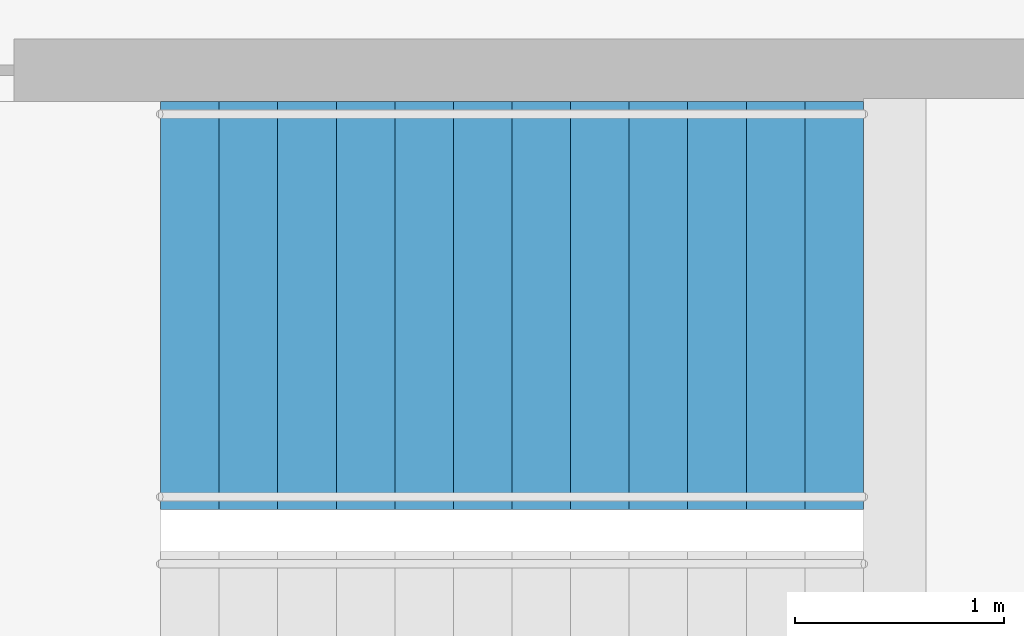
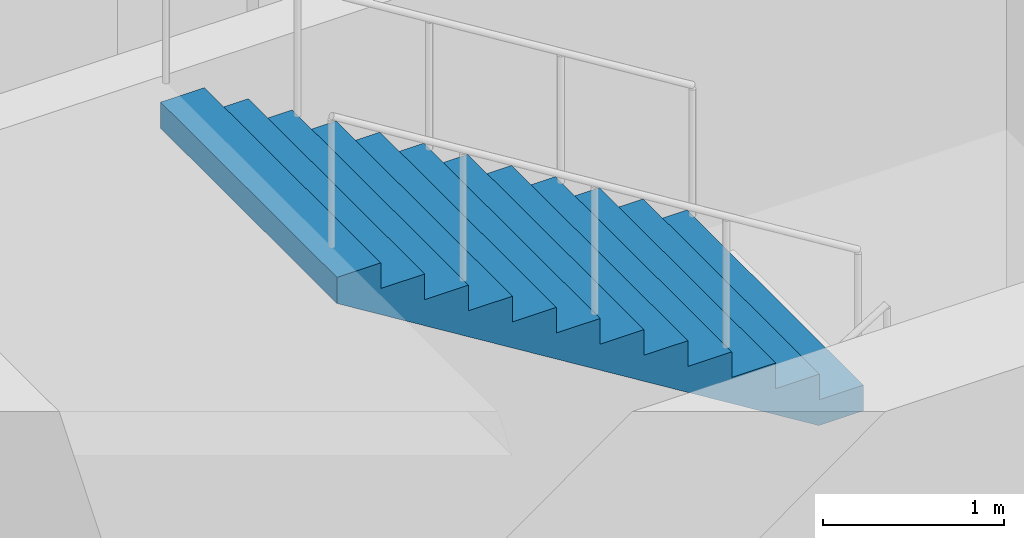
# One storey, part 18 of 21: 1 stair flight, 1 element without a shape of its own.
"""IFC4 building model written with IfcOpenShell, lengths in metres."""

import ifcopenshell
import ifcopenshell.guid

model = None  # the IFC model being written
_history = None  # IfcOwnerHistory: only IFC2X3 demands one
_inside = {}  # id of a spatial element -> (the spatial element, [elements in it])
_under = {}  # id of a project, library or spatial element -> (it, [spatial elements below it])
_declared = {}  # id of a project -> (the project, [libraries it declares])
_typed = {}  # id of a type object -> (the type object, [elements of that type])
_made_of = {}  # id of a material, layer set ... -> (it, [elements and type objects made of it])


def new_model(schema):
    """Start an empty IFC model of exactly this schema.

    Asked for "IFC4X3", IfcOpenShell would pick the latest addendum, in which some entities
    have other attributes; the version numbers below select the first issue.
    IFC2X3 requires an IfcOwnerHistory on every rooted entity: one is made here for all.
    """
    global model, _history
    if schema == "IFC4X3":
        model = ifcopenshell.file(schema_version=(4, 3, 0, 0))
    else:
        model = ifcopenshell.file(schema=schema)
    _inside.clear()
    _under.clear()
    _declared.clear()
    _typed.clear()
    _made_of.clear()
    _history = None
    if model.schema == "IFC2X3":
        org = make("IfcOrganization", Name="unknown")
        user = make(
            "IfcPersonAndOrganization",
            ThePerson=make("IfcPerson", FamilyName="unknown"),
            TheOrganization=org,
        )
        app = make(
            "IfcApplication",
            ApplicationDeveloper=org,
            Version="unknown",
            ApplicationFullName="unknown",
            ApplicationIdentifier="unknown",
        )
        _history = make(
            "IfcOwnerHistory",
            OwningUser=user,
            OwningApplication=app,
            ChangeAction="ADDED",
            CreationDate=0,
        )
    return model


def make(cls, **values):
    """One entity of the class cls with the attributes given. An attribute that is None is left unset."""
    return model.create_entity(
        cls, **{name: value for name, value in values.items() if value is not None}
    )


def rooted(cls, **values):
    """An entity with a GlobalId (a new one), such as an element, a storey or a relation."""
    return make(cls, GlobalId=ifcopenshell.guid.new(), OwnerHistory=_history, **values)


def si_unit(unit_type, name, prefix=None):
    """IfcSIUnit, for example si_unit("LENGTHUNIT", "METRE", prefix="MILLI")."""
    return make("IfcSIUnit", UnitType=unit_type, Prefix=prefix, Name=name)


def assignment(units):
    """IfcUnitAssignment: the units of a project."""
    return None if units is None else make("IfcUnitAssignment", Units=units)


def point(xyz):
    """IfcCartesianPoint."""
    return None if xyz is None else make("IfcCartesianPoint", Coordinates=xyz)


def direction(xyz):
    """IfcDirection."""
    return None if xyz is None else make("IfcDirection", DirectionRatios=xyz)


def frame(location, z_axis=None, x_axis=None):
    """IfcAxis2Placement3D, a coordinate frame: its origin and axes. An axis left out is left unset."""
    return make(
        "IfcAxis2Placement3D",
        Location=point(location),
        Axis=direction(z_axis),
        RefDirection=direction(x_axis),
    )


def origin():
    """The frame at (0, 0, 0) with its axes left unset."""
    return frame((0.0, 0.0, 0.0))


def place(relative_to, where):
    """IfcLocalPlacement: puts the frame where relative to a parent placement (None: the world)."""
    return make(
        "IfcLocalPlacement", PlacementRelTo=relative_to, RelativePlacement=where
    )


def context(
    kind, dimensions, precision=None, world=None, true_north=None, identifier=None
):
    """IfcGeometricRepresentationContext, for example the 3D "Model" context."""
    return make(
        "IfcGeometricRepresentationContext",
        ContextIdentifier=identifier,
        ContextType=kind,
        CoordinateSpaceDimension=dimensions,
        Precision=precision,
        WorldCoordinateSystem=world,
        TrueNorth=true_north,
    )


def subcontext(parent, identifier, kind, view, scale=None):
    """IfcGeometricRepresentationSubContext, for example "Body" below "Model"."""
    return make(
        "IfcGeometricRepresentationSubContext",
        ContextIdentifier=identifier,
        ContextType=kind,
        ParentContext=parent,
        TargetScale=scale,
        TargetView=view,
    )


def project(units=None, contexts=None):
    """IfcProject with its units and contexts."""
    return rooted(
        "IfcProject",
        Name="project",
        RepresentationContexts=contexts,
        UnitsInContext=assignment(units),
    )


def spatial(cls, under=None, at=None, **own):
    """A site, building, storey or space (cls), placed at a placement, below another one or the project."""
    s = rooted(cls, ObjectPlacement=at, **own)
    if under is not None:
        _under.setdefault(under.id(), (under, []))[1].append(s)
    return s


def point_list(points):
    """IfcCartesianPointList2D or 3D."""
    cls = (
        "IfcCartesianPointList2D" if len(points[0]) == 2 else "IfcCartesianPointList3D"
    )
    return make(cls, CoordList=points)


def triangles(points, corners, closed=None, point_numbers=None):
    """IfcTriangulatedFaceSet: each triangle names its three corners, points numbered from 1."""
    return make(
        "IfcTriangulatedFaceSet",
        Coordinates=point_list(points),
        Closed=closed,
        CoordIndex=corners,
        PnIndex=point_numbers,
    )


def shape(context_of_items, identifier, shape_type, items):
    """IfcShapeRepresentation: the items that make up one representation, for example the "Body"."""
    return make(
        "IfcShapeRepresentation",
        ContextOfItems=context_of_items,
        RepresentationIdentifier=identifier,
        RepresentationType=shape_type,
        Items=items,
    )


def material(Name=None, Category=None):
    """IfcMaterial."""
    return make("IfcMaterial", Name=Name, Category=Category)


def made_of(thing, what):
    """Note that an element or type object is made of a material, layer set ...; save() writes the relation."""
    if what is not None:
        _made_of.setdefault(what.id(), (what, []))[1].append(thing)
    return thing


def type_object(cls, material=None, **own):
    """A type object (cls), such as IfcWallType, which elements share."""
    return made_of(rooted(cls, **own), material)


def element(
    cls,
    number,
    at=None,
    inside=None,
    cuts=None,
    type_object=None,
    material=None,
    context=None,
    identifier="Body",
    shape_type=None,
    held_by="IfcProductDefinitionShape",
    body=None,
    shapes=None,
    **own,
):
    """One element of the class cls, such as IfcWall. Its Tag is "e" and its number.

    at: its placement. inside: the storey or other place that contains it. cuts: it is an
    opening in that element (IfcRelVoidsElement). A single representation is given by context,
    identifier, shape_type and body (its items); several are given by shapes. held_by: the class
    of the entity that holds the representations. save() writes the other relations.
    """
    e = rooted(cls, Tag="e%d" % number, ObjectPlacement=at, **own)
    if body is not None:
        shapes = [shape(context, identifier, shape_type, body)]
    if shapes is not None:
        e.Representation = make(held_by, Representations=shapes)
    if inside is not None:
        _inside.setdefault(inside.id(), (inside, []))[1].append(e)
    if cuts is not None:
        rooted(
            "IfcRelVoidsElement", RelatingBuildingElement=cuts, RelatedOpeningElement=e
        )
    if type_object is not None:
        _typed.setdefault(type_object.id(), (type_object, []))[1].append(e)
    return made_of(e, material)


def aggregate(whole, parts):
    """IfcRelAggregates: a whole, such as a stair, and the parts it consists of."""
    return rooted("IfcRelAggregates", RelatingObject=whole, RelatedObjects=parts)


def save(model, path):
    """Write the relations noted so far, then the file.

    IfcRelAggregates (storeys below a building ...), IfcRelContainedInSpatialStructure (elements
    in a storey), IfcRelDefinesByType, IfcRelAssociatesMaterial and IfcRelDeclares: one each for
    every whole, place, type object, material and project.
    """
    for whole, parts in _under.values():
        aggregate(whole, parts)
    for where, things in _inside.values():
        rooted(
            "IfcRelContainedInSpatialStructure",
            RelatedElements=things,
            RelatingStructure=where,
        )
    for kind, things in _typed.values():
        rooted("IfcRelDefinesByType", RelatedObjects=things, RelatingType=kind)
    for what, things in _made_of.values():
        rooted("IfcRelAssociatesMaterial", RelatedObjects=things, RelatingMaterial=what)
    for by, libraries in _declared.values():
        rooted("IfcRelDeclares", RelatingContext=by, RelatedDefinitions=libraries)
    model.write(path)


model = new_model("IFC4")

# Units and contexts
model_context = context("Model", 3, precision=1e-05, world=origin(), true_north=direction((0.0, 1.0)))
body_context = subcontext(model_context, "Body", "Model", "MODEL_VIEW")
ifc_project = project(units=[si_unit("LENGTHUNIT", "METRE"), si_unit("AREAUNIT", "SQUARE_METRE"), si_unit("VOLUMEUNIT", "CUBIC_METRE"), si_unit("PLANEANGLEUNIT", "RADIAN"), si_unit("MASSUNIT", "GRAM", prefix="KILO")], contexts=[model_context])

# Site, building, storey
site_placement = place(None, origin())
site = spatial("IfcSite", under=ifc_project, at=site_placement, CompositionType="ELEMENT")
building_placement = place(site_placement, origin())
building = spatial("IfcBuilding", under=site, at=building_placement, Name="Orbita Commons", CompositionType="ELEMENT")
storey_placement = place(building_placement, frame((0.0, 0.0, 257.800048828125)))
storey = spatial("IfcBuildingStorey", under=building, at=storey_placement, Name="L64", CompositionType="ELEMENT", Elevation=257.800048828125)

# Stair, stair flight
ifc_material_1 = material(Name="Precast concrete C40/50", Category="concrete")
stair_type = type_object("IfcStairType", Name="Exit stair S1 2 flights 13 risers 173", PredefinedType="HALF_TURN_STAIR", material=ifc_material_1)
stair_placement = place(storey_placement, origin())
stair = element("IfcStair", 1, at=stair_placement, inside=storey, type_object=stair_type, Name="Exit stair S1 L64", PredefinedType="HALF_TURN_STAIR")
ifc_material_2 = material(Name="Precast concrete C40/50", Category="concrete")
stair_flight_type = type_object("IfcStairFlightType", Name="Stair flight 13 risers 173 x 280", PredefinedType="STRAIGHT", material=ifc_material_2)
stair_flight_placement = place(storey_placement, frame((23.81005859375, 29.27490234375, 2.25), z_axis=(0.0, 0.0, 1.0), x_axis=(-1.0, 0.0, 0.0)))
stair_flight = element("IfcStairFlight", 2, at=stair_flight_placement, type_object=stair_flight_type, Name="S1 flight 2", NumberOfRisers=13, NumberOfTreads=12, PredefinedType="STRAIGHT", RiserHeight=0.173076923, TreadLength=0.28, context=body_context, shape_type="Tessellation", body=[
    triangles([(0.0, 0.974976, 0.0), (0.0, 0.974976, 0.021635), (0.0, 0.81248, 0.021635), (0.0, 0.81248, 0.0), (0.0, 0.649984, 0.021635), (0.0, 0.649984, 0.0), (0.0, 0.487488, 0.021635), (0.0, 0.487488, 0.0), (0.0, 0.324992, 0.021635), (0.0, 0.324992, 0.0), (0.0, 0.162496, 0.021635), (0.0, 0.162496, 0.0), (0.0, 0.0, 0.021635), (0.0, 0.0, 0.0), (0.0, -0.162496, 0.021635), (0.0, -0.162496, 0.0), (0.0, -0.324992, 0.021635), (0.0, -0.324992, 0.0), (0.0, -0.487488, 0.021635), (0.0, -0.487488, 0.0), (0.0, -0.649984, 0.021635), (0.0, -0.649984, 0.0), (0.0, -0.81248, 0.021635), (0.0, -0.81248, 0.0), (0.0, -0.974976, 0.021635), (0.0, -0.974976, 0.0), (0.0, 0.974976, 0.043269), (0.0, 0.81248, 0.043269), (0.0, 0.649984, 0.043269), (0.0, 0.487488, 0.043269), (0.0, 0.324992, 0.043269), (0.0, 0.162496, 0.043269), (0.0, 0.0, 0.043269), (0.0, -0.162496, 0.043269), (0.0, -0.324992, 0.043269), (0.0, -0.487488, 0.043269), (0.0, -0.649984, 0.043269), (0.0, -0.81248, 0.043269), (0.0, -0.974976, 0.043269), (0.0, 0.974976, 0.064904), (0.0, 0.81248, 0.064904), (0.0, 0.649984, 0.064904), (0.0, 0.487488, 0.064904), (0.0, 0.324992, 0.064904), (0.0, 0.162496, 0.064904), (0.0, 0.0, 0.064904), (0.0, -0.162496, 0.064904), (0.0, -0.324992, 0.064904), (0.0, -0.487488, 0.064904), (0.0, -0.649984, 0.064904), (0.0, -0.81248, 0.064904), (0.0, -0.974976, 0.064904), (0.0, 0.974976, 0.086538), (0.0, 0.81248, 0.086538), (0.0, 0.649984, 0.086538), (0.0, 0.487488, 0.086538), (0.0, 0.324992, 0.086538), (0.0, 0.162496, 0.086538), (0.0, 0.0, 0.086538), (0.0, -0.162496, 0.086538), (0.0, -0.324992, 0.086538), (0.0, -0.487488, 0.086538), (0.0, -0.649984, 0.086538), (0.0, -0.81248, 0.086538), (0.0, -0.974976, 0.086538), (0.0, 0.974976, 0.108173), (0.0, 0.81248, 0.108173), (0.0, 0.649984, 0.108173), (0.0, 0.487488, 0.108173), (0.0, 0.324992, 0.108173), (0.0, 0.162496, 0.108173), (0.0, 0.0, 0.108173), (0.0, -0.162496, 0.108173), (0.0, -0.324992, 0.108173), (0.0, -0.487488, 0.108173), (0.0, -0.649984, 0.108173), (0.0, -0.81248, 0.108173), (0.0, -0.974976, 0.108173), (0.0, 0.974976, 0.129808), (0.0, 0.81248, 0.129808), (0.0, 0.649984, 0.129808), (0.0, 0.487488, 0.129808), (0.0, 0.324992, 0.129808), (0.0, 0.162496, 0.129808), (0.0, 0.0, 0.129808), (0.0, -0.162496, 0.129808), (0.0, -0.324992, 0.129808), (0.0, -0.487488, 0.129808), (0.0, -0.649984, 0.129808), (0.0, -0.81248, 0.129808), (0.0, -0.974976, 0.129808), (0.0, 0.974976, 0.151442), (0.0, 0.81248, 0.151442), (0.0, 0.649984, 0.151442), (0.0, 0.487488, 0.151442), (0.0, 0.324992, 0.151442), (0.0, 0.162496, 0.151442), (0.0, 0.0, 0.151442), (0.0, -0.162496, 0.151442), (0.0, -0.324992, 0.151442), (0.0, -0.487488, 0.151442), (0.0, -0.649984, 0.151442), (0.0, -0.81248, 0.151442), (0.0, -0.974976, 0.151442), (0.0, 0.974976, 0.173077), (0.0, 0.81248, 0.173077), (0.0, 0.649984, 0.173077), (0.0, 0.487488, 0.173077), (0.0, 0.324992, 0.173077), (0.0, 0.162496, 0.173077), (0.0, 0.0, 0.173077), (0.0, -0.162496, 0.173077), (0.0, -0.324992, 0.173077), (0.0, -0.487488, 0.173077), (0.0, -0.649984, 0.173077), (0.0, -0.81248, 0.173077), (0.0, -0.974976, 0.173077), (0.28, 0.974976, 0.173077), (0.28, 0.81248, 0.173077), (0.28, 0.649984, 0.173077), (0.28, 0.487488, 0.173077), (0.28, 0.324992, 0.173077), (0.28, 0.162496, 0.173077), (0.28, 0.0, 0.173077), (0.28, -0.162496, 0.173077), (0.28, -0.324992, 0.173077), (0.28, -0.487488, 0.173077), (0.28, -0.649984, 0.173077), (0.28, -0.81248, 0.173077), (0.28, -0.974976, 0.173077), (0.28, 0.974976, 0.346154), (0.28, 0.81248, 0.346154), (0.28, 0.649984, 0.346154), (0.28, 0.487488, 0.346154), (0.28, 0.324992, 0.346154), (0.28, 0.162496, 0.346154), (0.28, 0.0, 0.346154), (0.28, -0.162496, 0.346154), (0.28, -0.324992, 0.346154), (0.28, -0.487488, 0.346154), (0.28, -0.649984, 0.346154), (0.28, -0.81248, 0.346154), (0.28, -0.974976, 0.346154), (0.56, 0.974976, 0.346154), (0.56, 0.81248, 0.346154), (0.56, 0.649984, 0.346154), (0.56, 0.487488, 0.346154), (0.56, 0.324992, 0.346154), (0.56, 0.162496, 0.346154), (0.56, 0.0, 0.346154), (0.56, -0.162496, 0.346154), (0.56, -0.324992, 0.346154), (0.56, -0.487488, 0.346154), (0.56, -0.649984, 0.346154), (0.56, -0.81248, 0.346154), (0.56, -0.974976, 0.346154), (0.56, 0.974976, 0.519231), (0.56, 0.81248, 0.519231), (0.56, 0.649984, 0.519231), (0.56, 0.487488, 0.519231), (0.56, 0.324992, 0.519231), (0.56, 0.162496, 0.519231), (0.56, 0.0, 0.519231), (0.56, -0.162496, 0.519231), (0.56, -0.324992, 0.519231), (0.56, -0.487488, 0.519231), (0.56, -0.649984, 0.519231), (0.56, -0.81248, 0.519231), (0.56, -0.974976, 0.519231), (0.84, 0.974976, 0.519231), (0.84, 0.81248, 0.519231), (0.84, 0.649984, 0.519231), (0.84, 0.487488, 0.519231), (0.84, 0.324992, 0.519231), (0.84, 0.162496, 0.519231), (0.84, 0.0, 0.519231), (0.84, -0.162496, 0.519231), (0.84, -0.324992, 0.519231), (0.84, -0.487488, 0.519231), (0.84, -0.649984, 0.519231), (0.84, -0.81248, 0.519231), (0.84, -0.974976, 0.519231), (0.84, 0.974976, 0.692308), (0.84, 0.81248, 0.692308), (0.84, 0.649984, 0.692308), (0.84, 0.487488, 0.692308), (0.84, 0.324992, 0.692308), (0.84, 0.162496, 0.692308), (0.84, 0.0, 0.692308), (0.84, -0.162496, 0.692308), (0.84, -0.324992, 0.692308), (0.84, -0.487488, 0.692308), (0.84, -0.649984, 0.692308), (0.84, -0.81248, 0.692308), (0.84, -0.974976, 0.692308), (1.12, 0.974976, 0.692308), (1.12, 0.81248, 0.692308), (1.12, 0.649984, 0.692308), (1.12, 0.487488, 0.692308), (1.12, 0.324992, 0.692308), (1.12, 0.162496, 0.692308), (1.12, 0.0, 0.692308), (1.12, -0.162496, 0.692308), (1.12, -0.324992, 0.692308), (1.12, -0.487488, 0.692308), (1.12, -0.649984, 0.692308), (1.12, -0.81248, 0.692308), (1.12, -0.974976, 0.692308), (1.12, 0.974976, 0.865385), (1.12, 0.81248, 0.865385), (1.12, 0.649984, 0.865385), (1.12, 0.487488, 0.865385), (1.12, 0.324992, 0.865385), (1.12, 0.162496, 0.865385), (1.12, 0.0, 0.865385), (1.12, -0.162496, 0.865385), (1.12, -0.324992, 0.865385), (1.12, -0.487488, 0.865385), (1.12, -0.649984, 0.865385), (1.12, -0.81248, 0.865385), (1.12, -0.974976, 0.865385), (1.4, 0.974976, 0.865385), (1.4, 0.81248, 0.865385), (1.4, 0.649984, 0.865385), (1.4, 0.487488, 0.865385), (1.4, 0.324992, 0.865385), (1.4, 0.162496, 0.865385), (1.4, 0.0, 0.865385), (1.4, -0.162496, 0.865385), (1.4, -0.324992, 0.865385), (1.4, -0.487488, 0.865385), (1.4, -0.649984, 0.865385), (1.4, -0.81248, 0.865385), (1.4, -0.974976, 0.865385), (1.4, 0.974976, 1.038462), (1.4, 0.81248, 1.038462), (1.4, 0.649984, 1.038462), (1.4, 0.487488, 1.038462), (1.4, 0.324992, 1.038462), (1.4, 0.162496, 1.038462), (1.4, 0.0, 1.038462), (1.4, -0.162496, 1.038462), (1.4, -0.324992, 1.038462), (1.4, -0.487488, 1.038462), (1.4, -0.649984, 1.038462), (1.4, -0.81248, 1.038462), (1.4, -0.974976, 1.038462), (1.68, 0.974976, 1.038462), (1.68, 0.81248, 1.038462), (1.68, 0.649984, 1.038462), (1.68, 0.487488, 1.038462), (1.68, 0.324992, 1.038462), (1.68, 0.162496, 1.038462), (1.68, 0.0, 1.038462), (1.68, -0.162496, 1.038462), (1.68, -0.324992, 1.038462), (1.68, -0.487488, 1.038462), (1.68, -0.649984, 1.038462), (1.68, -0.81248, 1.038462), (1.68, -0.974976, 1.038462), (1.68, 0.974976, 1.211538), (1.68, 0.81248, 1.211538), (1.68, 0.649984, 1.211538), (1.68, 0.487488, 1.211538), (1.68, 0.324992, 1.211538), (1.68, 0.162496, 1.211538), (1.68, 0.0, 1.211538), (1.68, -0.162496, 1.211538), (1.68, -0.324992, 1.211538), (1.68, -0.487488, 1.211538), (1.68, -0.649984, 1.211538), (1.68, -0.81248, 1.211538), (1.68, -0.974976, 1.211538), (1.96, 0.974976, 1.211538), (1.96, 0.81248, 1.211538), (1.96, 0.649984, 1.211538), (1.96, 0.487488, 1.211538), (1.96, 0.324992, 1.211538), (1.96, 0.162496, 1.211538), (1.96, 0.0, 1.211538), (1.96, -0.162496, 1.211538), (1.96, -0.324992, 1.211538), (1.96, -0.487488, 1.211538), (1.96, -0.649984, 1.211538), (1.96, -0.81248, 1.211538), (1.96, -0.974976, 1.211538), (1.96, 0.974976, 1.384615), (1.96, 0.81248, 1.384615), (1.96, 0.649984, 1.384615), (1.96, 0.487488, 1.384615), (1.96, 0.324992, 1.384615), (1.96, 0.162496, 1.384615), (1.96, 0.0, 1.384615), (1.96, -0.162496, 1.384615), (1.96, -0.324992, 1.384615), (1.96, -0.487488, 1.384615), (1.96, -0.649984, 1.384615), (1.96, -0.81248, 1.384615), (1.96, -0.974976, 1.384615), (2.24, 0.974976, 1.384615), (2.24, 0.81248, 1.384615), (2.24, 0.649984, 1.384615), (2.24, 0.487488, 1.384615), (2.24, 0.324992, 1.384615), (2.24, 0.162496, 1.384615), (2.24, 0.0, 1.384615), (2.24, -0.162496, 1.384615), (2.24, -0.324992, 1.384615), (2.24, -0.487488, 1.384615), (2.24, -0.649984, 1.384615), (2.24, -0.81248, 1.384615), (2.24, -0.974976, 1.384615), (2.24, 0.974976, 1.557692), (2.24, 0.81248, 1.557692), (2.24, 0.649984, 1.557692), (2.24, 0.487488, 1.557692), (2.24, 0.324992, 1.557692), (2.24, 0.162496, 1.557692), (2.24, 0.0, 1.557692), (2.24, -0.162496, 1.557692), (2.24, -0.324992, 1.557692), (2.24, -0.487488, 1.557692), (2.24, -0.649984, 1.557692), (2.24, -0.81248, 1.557692), (2.24, -0.974976, 1.557692), (2.52, 0.974976, 1.557692), (2.52, 0.81248, 1.557692), (2.52, 0.649984, 1.557692), (2.52, 0.487488, 1.557692), (2.52, 0.324992, 1.557692), (2.52, 0.162496, 1.557692), (2.52, 0.0, 1.557692), (2.52, -0.162496, 1.557692), (2.52, -0.324992, 1.557692), (2.52, -0.487488, 1.557692), (2.52, -0.649984, 1.557692), (2.52, -0.81248, 1.557692), (2.52, -0.974976, 1.557692), (2.52, 0.974976, 1.730769), (2.52, 0.81248, 1.730769), (2.52, 0.649984, 1.730769), (2.52, 0.487488, 1.730769), (2.52, 0.324992, 1.730769), (2.52, 0.162496, 1.730769), (2.52, 0.0, 1.730769), (2.52, -0.162496, 1.730769), (2.52, -0.324992, 1.730769), (2.52, -0.487488, 1.730769), (2.52, -0.649984, 1.730769), (2.52, -0.81248, 1.730769), (2.52, -0.974976, 1.730769), (2.8, 0.974976, 1.730769), (2.8, 0.81248, 1.730769), (2.8, 0.649984, 1.730769), (2.8, 0.487488, 1.730769), (2.8, 0.324992, 1.730769), (2.8, 0.162496, 1.730769), (2.8, 0.0, 1.730769), (2.8, -0.162496, 1.730769), (2.8, -0.324992, 1.730769), (2.8, -0.487488, 1.730769), (2.8, -0.649984, 1.730769), (2.8, -0.81248, 1.730769), (2.8, -0.974976, 1.730769), (2.8, 0.974976, 1.903846), (2.8, 0.81248, 1.903846), (2.8, 0.649984, 1.903846), (2.8, 0.487488, 1.903846), (2.8, 0.324992, 1.903846), (2.8, 0.162496, 1.903846), (2.8, 0.0, 1.903846), (2.8, -0.162496, 1.903846), (2.8, -0.324992, 1.903846), (2.8, -0.487488, 1.903846), (2.8, -0.649984, 1.903846), (2.8, -0.81248, 1.903846), (2.8, -0.974976, 1.903846), (3.08, 0.974976, 1.903846), (3.08, 0.81248, 1.903846), (3.08, 0.649984, 1.903846), (3.08, 0.487488, 1.903846), (3.08, 0.324992, 1.903846), (3.08, 0.162496, 1.903846), (3.08, 0.0, 1.903846), (3.08, -0.162496, 1.903846), (3.08, -0.324992, 1.903846), (3.08, -0.487488, 1.903846), (3.08, -0.649984, 1.903846), (3.08, -0.81248, 1.903846), (3.08, -0.974976, 1.903846), (3.08, 0.974976, 2.076923), (3.08, 0.81248, 2.076923), (3.08, 0.649984, 2.076923), (3.08, 0.487488, 2.076923), (3.08, 0.324992, 2.076923), (3.08, 0.162496, 2.076923), (3.08, 0.0, 2.076923), (3.08, -0.162496, 2.076923), (3.08, -0.324992, 2.076923), (3.08, -0.487488, 2.076923), (3.08, -0.649984, 2.076923), (3.08, -0.81248, 2.076923), (3.08, -0.974976, 2.076923), (3.36, 0.974976, 2.076923), (3.36, 0.81248, 2.076923), (3.36, 0.649984, 2.076923), (3.36, 0.487488, 2.076923), (3.36, 0.324992, 2.076923), (3.36, 0.162496, 2.076923), (3.36, 0.0, 2.076923), (3.36, -0.162496, 2.076923), (3.36, -0.324992, 2.076923), (3.36, -0.487488, 2.076923), (3.36, -0.649984, 2.076923), (3.36, -0.81248, 2.076923), (3.36, -0.974976, 2.076923), (3.36, 0.974976, 2.054895), (3.36, 0.81248, 2.054895), (3.36, 0.649984, 2.054895), (3.36, 0.487488, 2.054895), (3.36, 0.324992, 2.054895), (3.36, 0.162496, 2.054895), (3.36, 0.0, 2.054895), (3.36, -0.162496, 2.054895), (3.36, -0.324992, 2.054895), (3.36, -0.487488, 2.054895), (3.36, -0.649984, 2.054895), (3.36, -0.81248, 2.054895), (3.36, -0.974976, 2.054895), (3.36, 0.974976, 2.032866), (3.36, 0.81248, 2.032866), (3.36, 0.649984, 2.032866), (3.36, 0.487488, 2.032866), (3.36, 0.324992, 2.032866), (3.36, 0.162496, 2.032866), (3.36, 0.0, 2.032866), (3.36, -0.162496, 2.032866), (3.36, -0.324992, 2.032866), (3.36, -0.487488, 2.032866), (3.36, -0.649984, 2.032866), (3.36, -0.81248, 2.032866), (3.36, -0.974976, 2.032866), (3.36, 0.974976, 2.010837), (3.36, 0.81248, 2.010837), (3.36, 0.649984, 2.010837), (3.36, 0.487488, 2.010837), (3.36, 0.324992, 2.010837), (3.36, 0.162496, 2.010837), (3.36, 0.0, 2.010837), (3.36, -0.162496, 2.010837), (3.36, -0.324992, 2.010837), (3.36, -0.487488, 2.010837), (3.36, -0.649984, 2.010837), (3.36, -0.81248, 2.010837), (3.36, -0.974976, 2.010837), (3.36, 0.974976, 1.988809), (3.36, 0.81248, 1.988809), (3.36, 0.649984, 1.988809), (3.36, 0.487488, 1.988809), (3.36, 0.324992, 1.988809), (3.36, 0.162496, 1.988809), (3.36, 0.0, 1.988809), (3.36, -0.162496, 1.988809), (3.36, -0.324992, 1.988809), (3.36, -0.487488, 1.988809), (3.36, -0.649984, 1.988809), (3.36, -0.81248, 1.988809), (3.36, -0.974976, 1.988809), (3.36, 0.974976, 1.96678), (3.36, 0.81248, 1.96678), (3.36, 0.649984, 1.96678), (3.36, 0.487488, 1.96678), (3.36, 0.324992, 1.96678), (3.36, 0.162496, 1.96678), (3.36, 0.0, 1.96678), (3.36, -0.162496, 1.96678), (3.36, -0.324992, 1.96678), (3.36, -0.487488, 1.96678), (3.36, -0.649984, 1.96678), (3.36, -0.81248, 1.96678), (3.36, -0.974976, 1.96678), (3.36, 0.974976, 1.944752), (3.36, 0.81248, 1.944752), (3.36, 0.649984, 1.944752), (3.36, 0.487488, 1.944752), (3.36, 0.324992, 1.944752), (3.36, 0.162496, 1.944752), (3.36, 0.0, 1.944752), (3.36, -0.162496, 1.944752), (3.36, -0.324992, 1.944752), (3.36, -0.487488, 1.944752), (3.36, -0.649984, 1.944752), (3.36, -0.81248, 1.944752), (3.36, -0.974976, 1.944752), (3.36, 0.974976, 1.922723), (3.36, 0.81248, 1.922723), (3.36, 0.649984, 1.922723), (3.36, 0.487488, 1.922723), (3.36, 0.324992, 1.922723), (3.36, 0.162496, 1.922723), (3.36, 0.0, 1.922723), (3.36, -0.162496, 1.922723), (3.36, -0.324992, 1.922723), (3.36, -0.487488, 1.922723), (3.36, -0.649984, 1.922723), (3.36, -0.81248, 1.922723), (3.36, -0.974976, 1.922723), (3.36, 0.974976, 1.900695), (3.36, 0.81248, 1.900695), (3.36, 0.649984, 1.900695), (3.36, 0.487488, 1.900695), (3.36, 0.324992, 1.900695), (3.36, 0.162496, 1.900695), (3.36, 0.0, 1.900695), (3.36, -0.162496, 1.900695), (3.36, -0.324992, 1.900695), (3.36, -0.487488, 1.900695), (3.36, -0.649984, 1.900695), (3.36, -0.81248, 1.900695), (3.36, -0.974976, 1.900695), (0.285099, 0.974976, 0.0), (0.285099, 0.81248, 0.0), (0.285099, 0.649984, 0.0), (0.285099, 0.487488, 0.0), (0.285099, 0.324992, 0.0), (0.285099, 0.162496, 0.0), (0.285099, 0.0, 0.0), (0.285099, -0.162496, 0.0), (0.285099, -0.324992, 0.0), (0.285099, -0.487488, 0.0), (0.285099, -0.649984, 0.0), (0.285099, -0.81248, 0.0), (0.285099, -0.974976, 0.0)], [[3, 2, 1], [4, 3, 1], [5, 3, 4], [6, 5, 4], [7, 5, 6], [8, 7, 6], [9, 7, 8], [10, 9, 8], [11, 9, 10], [12, 11, 10], [13, 11, 12], [14, 13, 12], [15, 13, 14], [16, 15, 14], [17, 15, 16], [18, 17, 16], [19, 17, 18], [20, 19, 18], [21, 19, 20], [22, 21, 20], [23, 21, 22], [24, 23, 22], [25, 23, 24], [26, 25, 24], [28, 27, 2], [3, 28, 2], [29, 28, 3], [5, 29, 3], [30, 29, 5], [7, 30, 5], [31, 30, 7], [9, 31, 7], [32, 31, 9], [11, 32, 9], [33, 32, 11], [13, 33, 11], [34, 33, 13], [15, 34, 13], [35, 34, 15], [17, 35, 15], [36, 35, 17], [19, 36, 17], [37, 36, 19], [21, 37, 19], [38, 37, 21], [23, 38, 21], [39, 38, 23], [25, 39, 23], [41, 40, 27], [28, 41, 27], [42, 41, 28], [29, 42, 28], [43, 42, 29], [30, 43, 29], [44, 43, 30], [31, 44, 30], [45, 44, 31], [32, 45, 31], [46, 45, 32], [33, 46, 32], [47, 46, 33], [34, 47, 33], [48, 47, 34], [35, 48, 34], [49, 48, 35], [36, 49, 35], [50, 49, 36], [37, 50, 36], [51, 50, 37], [38, 51, 37], [52, 51, 38], [39, 52, 38], [54, 53, 40], [41, 54, 40], [55, 54, 41], [42, 55, 41], [56, 55, 42], [43, 56, 42], [57, 56, 43], [44, 57, 43], [58, 57, 44], [45, 58, 44], [59, 58, 45], [46, 59, 45], [60, 59, 46], [47, 60, 46], [61, 60, 47], [48, 61, 47], [62, 61, 48], [49, 62, 48], [63, 62, 49], [50, 63, 49], [64, 63, 50], [51, 64, 50], [65, 64, 51], [52, 65, 51], [67, 66, 53], [54, 67, 53], [68, 67, 54], [55, 68, 54], [69, 68, 55], [56, 69, 55], [70, 69, 56], [57, 70, 56], [71, 70, 57], [58, 71, 57], [72, 71, 58], [59, 72, 58], [73, 72, 59], [60, 73, 59], [74, 73, 60], [61, 74, 60], [75, 74, 61], [62, 75, 61], [76, 75, 62], [63, 76, 62], [77, 76, 63], [64, 77, 63], [78, 77, 64], [65, 78, 64], [80, 79, 66], [67, 80, 66], [81, 80, 67], [68, 81, 67], [82, 81, 68], [69, 82, 68], [83, 82, 69], [70, 83, 69], [84, 83, 70], [71, 84, 70], [85, 84, 71], [72, 85, 71], [86, 85, 72], [73, 86, 72], [87, 86, 73], [74, 87, 73], [88, 87, 74], [75, 88, 74], [89, 88, 75], [76, 89, 75], [90, 89, 76], [77, 90, 76], [91, 90, 77], [78, 91, 77], [93, 92, 79], [80, 93, 79], [94, 93, 80], [81, 94, 80], [95, 94, 81], [82, 95, 81], [96, 95, 82], [83, 96, 82], [97, 96, 83], [84, 97, 83], [98, 97, 84], [85, 98, 84], [99, 98, 85], [86, 99, 85], [100, 99, 86], [87, 100, 86], [101, 100, 87], [88, 101, 87], [102, 101, 88], [89, 102, 88], [103, 102, 89], [90, 103, 89], [104, 103, 90], [91, 104, 90], [106, 105, 92], [93, 106, 92], [107, 106, 93], [94, 107, 93], [108, 107, 94], [95, 108, 94], [109, 108, 95], [96, 109, 95], [110, 109, 96], [97, 110, 96], [111, 110, 97], [98, 111, 97], [112, 111, 98], [99, 112, 98], [113, 112, 99], [100, 113, 99], [114, 113, 100], [101, 114, 100], [115, 114, 101], [102, 115, 101], [116, 115, 102], [103, 116, 102], [117, 116, 103], [104, 117, 103], [119, 118, 105], [106, 119, 105], [120, 119, 106], [107, 120, 106], [121, 120, 107], [108, 121, 107], [122, 121, 108], [109, 122, 108], [123, 122, 109], [110, 123, 109], [124, 123, 110], [111, 124, 110], [125, 124, 111], [112, 125, 111], [126, 125, 112], [113, 126, 112], [127, 126, 113], [114, 127, 113], [128, 127, 114], [115, 128, 114], [129, 128, 115], [116, 129, 115], [130, 129, 116], [117, 130, 116], [132, 131, 118], [119, 132, 118], [133, 132, 119], [120, 133, 119], [134, 133, 120], [121, 134, 120], [135, 134, 121], [122, 135, 121], [136, 135, 122], [123, 136, 122], [137, 136, 123], [124, 137, 123], [138, 137, 124], [125, 138, 124], [139, 138, 125], [126, 139, 125], [140, 139, 126], [127, 140, 126], [141, 140, 127], [128, 141, 127], [142, 141, 128], [129, 142, 128], [143, 142, 129], [130, 143, 129], [145, 144, 131], [132, 145, 131], [146, 145, 132], [133, 146, 132], [147, 146, 133], [134, 147, 133], [148, 147, 134], [135, 148, 134], [149, 148, 135], [136, 149, 135], [150, 149, 136], [137, 150, 136], [151, 150, 137], [138, 151, 137], [152, 151, 138], [139, 152, 138], [153, 152, 139], [140, 153, 139], [154, 153, 140], [141, 154, 140], [155, 154, 141], [142, 155, 141], [156, 155, 142], [143, 156, 142], [158, 157, 144], [145, 158, 144], [159, 158, 145], [146, 159, 145], [160, 159, 146], [147, 160, 146], [161, 160, 147], [148, 161, 147], [162, 161, 148], [149, 162, 148], [163, 162, 149], [150, 163, 149], [164, 163, 150], [151, 164, 150], [165, 164, 151], [152, 165, 151], [166, 165, 152], [153, 166, 152], [167, 166, 153], [154, 167, 153], [168, 167, 154], [155, 168, 154], [169, 168, 155], [156, 169, 155], [171, 170, 157], [158, 171, 157], [172, 171, 158], [159, 172, 158], [173, 172, 159], [160, 173, 159], [174, 173, 160], [161, 174, 160], [175, 174, 161], [162, 175, 161], [176, 175, 162], [163, 176, 162], [177, 176, 163], [164, 177, 163], [178, 177, 164], [165, 178, 164], [179, 178, 165], [166, 179, 165], [180, 179, 166], [167, 180, 166], [181, 180, 167], [168, 181, 167], [182, 181, 168], [169, 182, 168], [184, 183, 170], [171, 184, 170], [185, 184, 171], [172, 185, 171], [186, 185, 172], [173, 186, 172], [187, 186, 173], [174, 187, 173], [188, 187, 174], [175, 188, 174], [189, 188, 175], [176, 189, 175], [190, 189, 176], [177, 190, 176], [191, 190, 177], [178, 191, 177], [192, 191, 178], [179, 192, 178], [193, 192, 179], [180, 193, 179], [194, 193, 180], [181, 194, 180], [195, 194, 181], [182, 195, 181], [197, 196, 183], [184, 197, 183], [198, 197, 184], [185, 198, 184], [199, 198, 185], [186, 199, 185], [200, 199, 186], [187, 200, 186], [201, 200, 187], [188, 201, 187], [202, 201, 188], [189, 202, 188], [203, 202, 189], [190, 203, 189], [204, 203, 190], [191, 204, 190], [205, 204, 191], [192, 205, 191], [206, 205, 192], [193, 206, 192], [207, 206, 193], [194, 207, 193], [208, 207, 194], [195, 208, 194], [210, 209, 196], [197, 210, 196], [211, 210, 197], [198, 211, 197], [212, 211, 198], [199, 212, 198], [213, 212, 199], [200, 213, 199], [214, 213, 200], [201, 214, 200], [215, 214, 201], [202, 215, 201], [216, 215, 202], [203, 216, 202], [217, 216, 203], [204, 217, 203], [218, 217, 204], [205, 218, 204], [219, 218, 205], [206, 219, 205], [220, 219, 206], [207, 220, 206], [221, 220, 207], [208, 221, 207], [223, 222, 209], [210, 223, 209], [224, 223, 210], [211, 224, 210], [225, 224, 211], [212, 225, 211], [226, 225, 212], [213, 226, 212], [227, 226, 213], [214, 227, 213], [228, 227, 214], [215, 228, 214], [229, 228, 215], [216, 229, 215], [230, 229, 216], [217, 230, 216], [231, 230, 217], [218, 231, 217], [232, 231, 218], [219, 232, 218], [233, 232, 219], [220, 233, 219], [234, 233, 220], [221, 234, 220], [236, 235, 222], [223, 236, 222], [237, 236, 223], [224, 237, 223], [238, 237, 224], [225, 238, 224], [239, 238, 225], [226, 239, 225], [240, 239, 226], [227, 240, 226], [241, 240, 227], [228, 241, 227], [242, 241, 228], [229, 242, 228], [243, 242, 229], [230, 243, 229], [244, 243, 230], [231, 244, 230], [245, 244, 231], [232, 245, 231], [246, 245, 232], [233, 246, 232], [247, 246, 233], [234, 247, 233], [249, 248, 235], [236, 249, 235], [250, 249, 236], [237, 250, 236], [251, 250, 237], [238, 251, 237], [252, 251, 238], [239, 252, 238], [253, 252, 239], [240, 253, 239], [254, 253, 240], [241, 254, 240], [255, 254, 241], [242, 255, 241], [256, 255, 242], [243, 256, 242], [257, 256, 243], [244, 257, 243], [258, 257, 244], [245, 258, 244], [259, 258, 245], [246, 259, 245], [260, 259, 246], [247, 260, 246], [262, 261, 248], [249, 262, 248], [263, 262, 249], [250, 263, 249], [264, 263, 250], [251, 264, 250], [265, 264, 251], [252, 265, 251], [266, 265, 252], [253, 266, 252], [267, 266, 253], [254, 267, 253], [268, 267, 254], [255, 268, 254], [269, 268, 255], [256, 269, 255], [270, 269, 256], [257, 270, 256], [271, 270, 257], [258, 271, 257], [272, 271, 258], [259, 272, 258], [273, 272, 259], [260, 273, 259], [275, 274, 261], [262, 275, 261], [276, 275, 262], [263, 276, 262], [277, 276, 263], [264, 277, 263], [278, 277, 264], [265, 278, 264], [279, 278, 265], [266, 279, 265], [280, 279, 266], [267, 280, 266], [281, 280, 267], [268, 281, 267], [282, 281, 268], [269, 282, 268], [283, 282, 269], [270, 283, 269], [284, 283, 270], [271, 284, 270], [285, 284, 271], [272, 285, 271], [286, 285, 272], [273, 286, 272], [288, 287, 274], [275, 288, 274], [289, 288, 275], [276, 289, 275], [290, 289, 276], [277, 290, 276], [291, 290, 277], [278, 291, 277], [292, 291, 278], [279, 292, 278], [293, 292, 279], [280, 293, 279], [294, 293, 280], [281, 294, 280], [295, 294, 281], [282, 295, 281], [296, 295, 282], [283, 296, 282], [297, 296, 283], [284, 297, 283], [298, 297, 284], [285, 298, 284], [299, 298, 285], [286, 299, 285], [301, 300, 287], [288, 301, 287], [302, 301, 288], [289, 302, 288], [303, 302, 289], [290, 303, 289], [304, 303, 290], [291, 304, 290], [305, 304, 291], [292, 305, 291], [306, 305, 292], [293, 306, 292], [307, 306, 293], [294, 307, 293], [308, 307, 294], [295, 308, 294], [309, 308, 295], [296, 309, 295], [310, 309, 296], [297, 310, 296], [311, 310, 297], [298, 311, 297], [312, 311, 298], [299, 312, 298], [314, 313, 300], [301, 314, 300], [315, 314, 301], [302, 315, 301], [316, 315, 302], [303, 316, 302], [317, 316, 303], [304, 317, 303], [318, 317, 304], [305, 318, 304], [319, 318, 305], [306, 319, 305], [320, 319, 306], [307, 320, 306], [321, 320, 307], [308, 321, 307], [322, 321, 308], [309, 322, 308], [323, 322, 309], [310, 323, 309], [324, 323, 310], [311, 324, 310], [325, 324, 311], [312, 325, 311], [327, 326, 313], [314, 327, 313], [328, 327, 314], [315, 328, 314], [329, 328, 315], [316, 329, 315], [330, 329, 316], [317, 330, 316], [331, 330, 317], [318, 331, 317], [332, 331, 318], [319, 332, 318], [333, 332, 319], [320, 333, 319], [334, 333, 320], [321, 334, 320], [335, 334, 321], [322, 335, 321], [336, 335, 322], [323, 336, 322], [337, 336, 323], [324, 337, 323], [338, 337, 324], [325, 338, 324], [340, 339, 326], [327, 340, 326], [341, 340, 327], [328, 341, 327], [342, 341, 328], [329, 342, 328], [343, 342, 329], [330, 343, 329], [344, 343, 330], [331, 344, 330], [345, 344, 331], [332, 345, 331], [346, 345, 332], [333, 346, 332], [347, 346, 333], [334, 347, 333], [348, 347, 334], [335, 348, 334], [349, 348, 335], [336, 349, 335], [350, 349, 336], [337, 350, 336], [351, 350, 337], [338, 351, 337], [353, 352, 339], [340, 353, 339], [354, 353, 340], [341, 354, 340], [355, 354, 341], [342, 355, 341], [356, 355, 342], [343, 356, 342], [357, 356, 343], [344, 357, 343], [358, 357, 344], [345, 358, 344], [359, 358, 345], [346, 359, 345], [360, 359, 346], [347, 360, 346], [361, 360, 347], [348, 361, 347], [362, 361, 348], [349, 362, 348], [363, 362, 349], [350, 363, 349], [364, 363, 350], [351, 364, 350], [366, 365, 352], [353, 366, 352], [367, 366, 353], [354, 367, 353], [368, 367, 354], [355, 368, 354], [369, 368, 355], [356, 369, 355], [370, 369, 356], [357, 370, 356], [371, 370, 357], [358, 371, 357], [372, 371, 358], [359, 372, 358], [373, 372, 359], [360, 373, 359], [374, 373, 360], [361, 374, 360], [375, 374, 361], [362, 375, 361], [376, 375, 362], [363, 376, 362], [377, 376, 363], [364, 377, 363], [379, 378, 365], [366, 379, 365], [380, 379, 366], [367, 380, 366], [381, 380, 367], [368, 381, 367], [382, 381, 368], [369, 382, 368], [383, 382, 369], [370, 383, 369], [384, 383, 370], [371, 384, 370], [385, 384, 371], [372, 385, 371], [386, 385, 372], [373, 386, 372], [387, 386, 373], [374, 387, 373], [388, 387, 374], [375, 388, 374], [389, 388, 375], [376, 389, 375], [390, 389, 376], [377, 390, 376], [392, 391, 378], [379, 392, 378], [393, 392, 379], [380, 393, 379], [394, 393, 380], [381, 394, 380], [395, 394, 381], [382, 395, 381], [396, 395, 382], [383, 396, 382], [397, 396, 383], [384, 397, 383], [398, 397, 384], [385, 398, 384], [399, 398, 385], [386, 399, 385], [400, 399, 386], [387, 400, 386], [401, 400, 387], [388, 401, 387], [402, 401, 388], [389, 402, 388], [403, 402, 389], [390, 403, 389], [405, 404, 391], [392, 405, 391], [406, 405, 392], [393, 406, 392], [407, 406, 393], [394, 407, 393], [408, 407, 394], [395, 408, 394], [409, 408, 395], [396, 409, 395], [410, 409, 396], [397, 410, 396], [411, 410, 397], [398, 411, 397], [412, 411, 398], [399, 412, 398], [413, 412, 399], [400, 413, 399], [414, 413, 400], [401, 414, 400], [415, 414, 401], [402, 415, 401], [416, 415, 402], [403, 416, 402], [418, 417, 404], [405, 418, 404], [419, 418, 405], [406, 419, 405], [420, 419, 406], [407, 420, 406], [421, 420, 407], [408, 421, 407], [422, 421, 408], [409, 422, 408], [423, 422, 409], [410, 423, 409], [424, 423, 410], [411, 424, 410], [425, 424, 411], [412, 425, 411], [426, 425, 412], [413, 426, 412], [427, 426, 413], [414, 427, 413], [428, 427, 414], [415, 428, 414], [429, 428, 415], [416, 429, 415], [431, 430, 417], [418, 431, 417], [432, 431, 418], [419, 432, 418], [433, 432, 419], [420, 433, 419], [434, 433, 420], [421, 434, 420], [435, 434, 421], [422, 435, 421], [436, 435, 422], [423, 436, 422], [437, 436, 423], [424, 437, 423], [438, 437, 424], [425, 438, 424], [439, 438, 425], [426, 439, 425], [440, 439, 426], [427, 440, 426], [441, 440, 427], [428, 441, 427], [442, 441, 428], [429, 442, 428], [444, 443, 430], [431, 444, 430], [445, 444, 431], [432, 445, 431], [446, 445, 432], [433, 446, 432], [447, 446, 433], [434, 447, 433], [448, 447, 434], [435, 448, 434], [449, 448, 435], [436, 449, 435], [450, 449, 436], [437, 450, 436], [451, 450, 437], [438, 451, 437], [452, 451, 438], [439, 452, 438], [453, 452, 439], [440, 453, 439], [454, 453, 440], [441, 454, 440], [455, 454, 441], [442, 455, 441], [457, 456, 443], [444, 457, 443], [458, 457, 444], [445, 458, 444], [459, 458, 445], [446, 459, 445], [460, 459, 446], [447, 460, 446], [461, 460, 447], [448, 461, 447], [462, 461, 448], [449, 462, 448], [463, 462, 449], [450, 463, 449], [464, 463, 450], [451, 464, 450], [465, 464, 451], [452, 465, 451], [466, 465, 452], [453, 466, 452], [467, 466, 453], [454, 467, 453], [468, 467, 454], [455, 468, 454], [470, 469, 456], [457, 470, 456], [471, 470, 457], [458, 471, 457], [472, 471, 458], [459, 472, 458], [473, 472, 459], [460, 473, 459], [474, 473, 460], [461, 474, 460], [475, 474, 461], [462, 475, 461], [476, 475, 462], [463, 476, 462], [477, 476, 463], [464, 477, 463], [478, 477, 464], [465, 478, 464], [479, 478, 465], [466, 479, 465], [480, 479, 466], [467, 480, 466], [481, 480, 467], [468, 481, 467], [483, 482, 469], [470, 483, 469], [484, 483, 470], [471, 484, 470], [485, 484, 471], [472, 485, 471], [486, 485, 472], [473, 486, 472], [487, 486, 473], [474, 487, 473], [488, 487, 474], [475, 488, 474], [489, 488, 475], [476, 489, 475], [490, 489, 476], [477, 490, 476], [491, 490, 477], [478, 491, 477], [492, 491, 478], [479, 492, 478], [493, 492, 479], [480, 493, 479], [494, 493, 480], [481, 494, 480], [496, 495, 482], [483, 496, 482], [497, 496, 483], [484, 497, 483], [498, 497, 484], [485, 498, 484], [499, 498, 485], [486, 499, 485], [500, 499, 486], [487, 500, 486], [501, 500, 487], [488, 501, 487], [502, 501, 488], [489, 502, 488], [503, 502, 489], [490, 503, 489], [504, 503, 490], [491, 504, 490], [505, 504, 491], [492, 505, 491], [506, 505, 492], [493, 506, 492], [507, 506, 493], [494, 507, 493], [509, 508, 495], [496, 509, 495], [510, 509, 496], [497, 510, 496], [511, 510, 497], [498, 511, 497], [512, 511, 498], [499, 512, 498], [513, 512, 499], [500, 513, 499], [514, 513, 500], [501, 514, 500], [515, 514, 501], [502, 515, 501], [516, 515, 502], [503, 516, 502], [517, 516, 503], [504, 517, 503], [518, 517, 504], [505, 518, 504], [519, 518, 505], [506, 519, 505], [520, 519, 506], [507, 520, 506], [522, 521, 508], [509, 522, 508], [523, 522, 509], [510, 523, 509], [524, 523, 510], [511, 524, 510], [525, 524, 511], [512, 525, 511], [526, 525, 512], [513, 526, 512], [527, 526, 513], [514, 527, 513], [528, 527, 514], [515, 528, 514], [529, 528, 515], [516, 529, 515], [530, 529, 516], [517, 530, 516], [531, 530, 517], [518, 531, 517], [532, 531, 518], [519, 532, 518], [533, 532, 519], [520, 533, 519], [4, 1, 521], [522, 4, 521], [6, 4, 522], [523, 6, 522], [8, 6, 523], [524, 8, 523], [10, 8, 524], [525, 10, 524], [12, 10, 525], [526, 12, 525], [14, 12, 526], [527, 14, 526], [16, 14, 527], [528, 16, 527], [18, 16, 528], [529, 18, 528], [20, 18, 529], [530, 20, 529], [22, 20, 530], [531, 22, 530], [24, 22, 531], [532, 24, 531], [26, 24, 532], [533, 26, 532], [508, 521, 1], [26, 533, 520], [495, 508, 1], [26, 520, 507], [482, 495, 1], [26, 507, 494], [469, 482, 1], [26, 494, 481], [456, 469, 1], [26, 481, 468], [443, 456, 1], [26, 468, 455], [430, 443, 1], [26, 455, 442], [417, 430, 1], [26, 442, 429], [391, 404, 417], [429, 416, 403], [378, 391, 417], [429, 403, 390], [352, 365, 378], [390, 377, 364], [352, 378, 417], [429, 390, 364], [326, 339, 352], [364, 351, 338], [326, 352, 417], [429, 364, 338], [300, 313, 326], [338, 325, 312], [300, 326, 417], [429, 338, 312], [274, 287, 300], [312, 299, 286], [274, 300, 417], [429, 312, 286], [248, 261, 274], [286, 273, 260], [248, 274, 417], [429, 286, 260], [222, 235, 248], [260, 247, 234], [222, 248, 417], [429, 260, 234], [196, 209, 222], [234, 221, 208], [196, 222, 417], [429, 234, 208], [170, 183, 196], [208, 195, 182], [170, 196, 417], [429, 208, 182], [144, 157, 170], [182, 169, 156], [144, 170, 417], [429, 182, 156], [118, 131, 144], [156, 143, 130], [118, 144, 417], [429, 156, 130], [118, 417, 1], [26, 429, 130], [92, 105, 118], [130, 117, 104], [79, 92, 118], [130, 104, 91], [66, 79, 118], [130, 91, 78], [53, 66, 118], [130, 78, 65], [40, 53, 118], [130, 65, 52], [27, 40, 118], [130, 52, 39], [2, 27, 118], [130, 39, 25], [1, 2, 118], [130, 25, 26]], closed=True),
])
aggregate(stair, [stair_flight])

save(model, "model.ifc")
